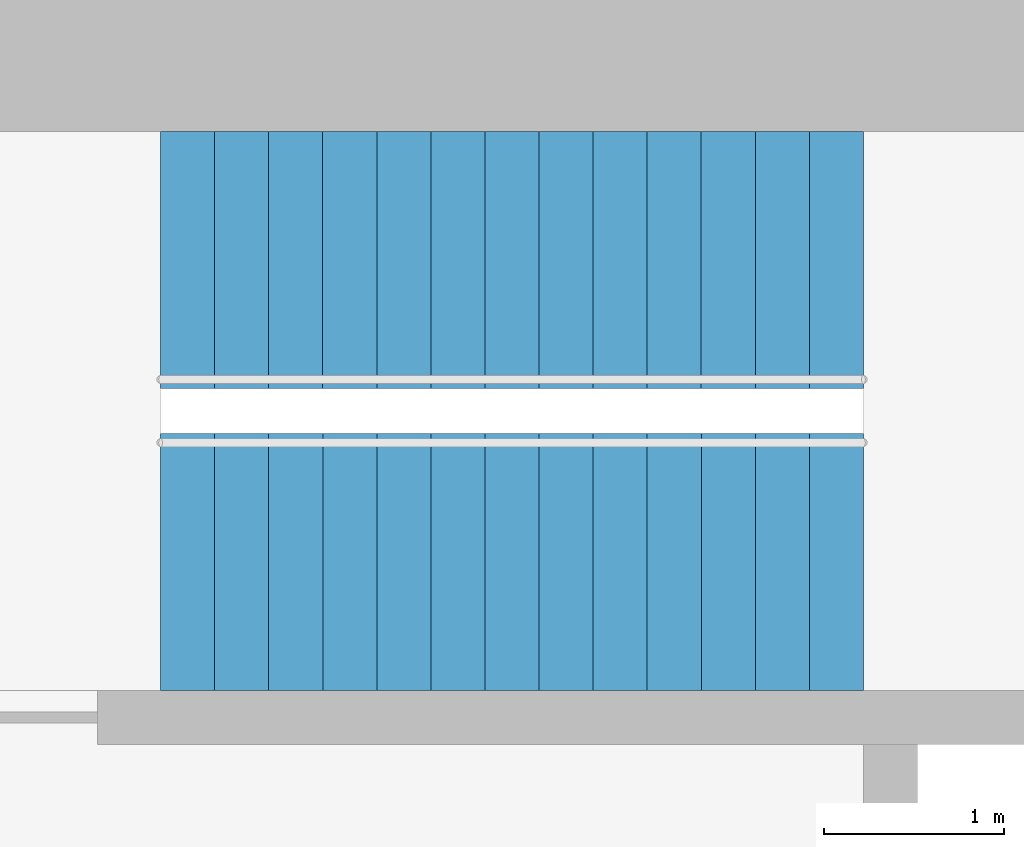
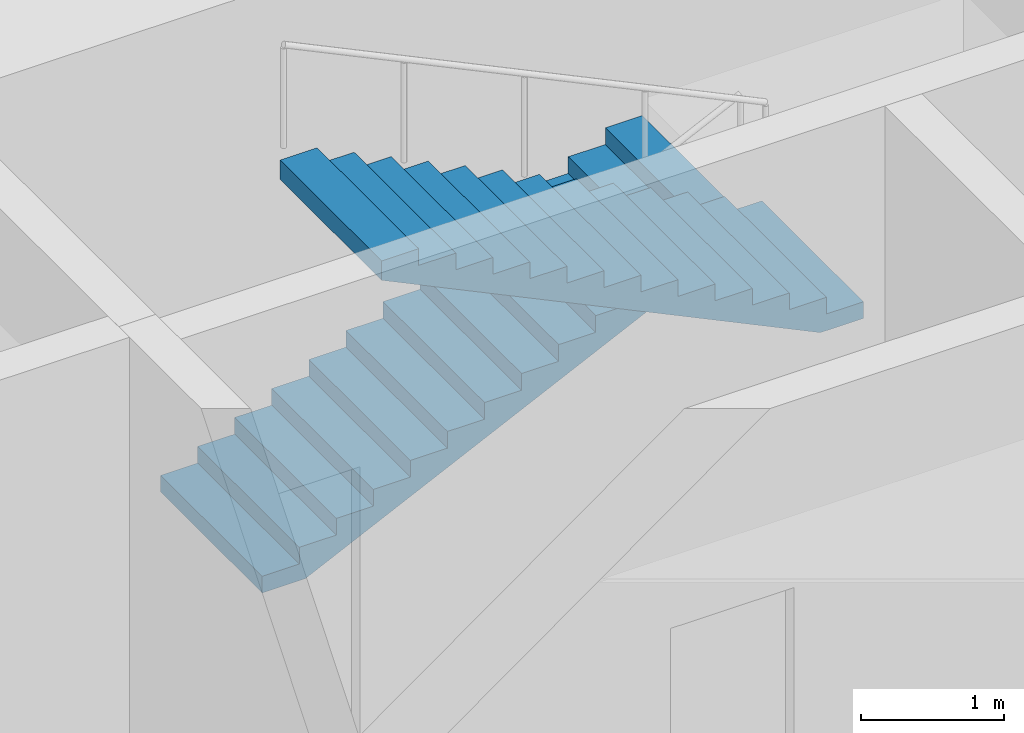
# One storey, part 41 of 42: 2 stair flights, 1 element without a shape of its own.
"""IFC4 building model written with IfcOpenShell, lengths in metres."""

from ifc_helpers import new_model, si_unit, direction, frame, origin, place, context, subcontext, project, spatial, polyline, outline, extrude, material, type_object, element, aggregate, save


model = new_model("IFC4")

# Units and contexts
model_context = context("Model", 3, precision=1e-05, world=origin(), true_north=direction((0.0, 1.0)))
body_context = subcontext(model_context, "Body", "Model", "MODEL_VIEW")
ifc_project = project(units=[si_unit("LENGTHUNIT", "METRE"), si_unit("AREAUNIT", "SQUARE_METRE"), si_unit("VOLUMEUNIT", "CUBIC_METRE"), si_unit("PLANEANGLEUNIT", "RADIAN"), si_unit("MASSUNIT", "GRAM", prefix="KILO")], contexts=[model_context])

# Site, building, storey
site_placement = place(None, origin())
site = spatial("IfcSite", under=ifc_project, at=site_placement, CompositionType="ELEMENT")
building_placement = place(site_placement, origin())
building = spatial("IfcBuilding", under=site, at=building_placement, Name="Zorevar Civic Tower", CompositionType="ELEMENT")
storey_placement = place(building_placement, frame((0.0, 0.0, 149.0)))
storey = spatial("IfcBuildingStorey", under=building, at=storey_placement, Name="L36", CompositionType="ELEMENT", Elevation=149.0)

# Stair, stair flights
ifc_material_1 = material(Name="Precast concrete C40/50", Category="concrete")
stair_type = type_object("IfcStairType", Name="Stair ST 28R", PredefinedType="HALF_TURN_STAIR", material=ifc_material_1)
stair_placement = place(storey_placement, origin())
stair = element("IfcStair", 1, at=stair_placement, inside=storey, type_object=stair_type, Name="Stair ST2 L36", PredefinedType="HALF_TURN_STAIR")
ifc_material_2 = material(Name="Precast concrete C40/50", Category="concrete")
stair_flight_type = type_object("IfcStairFlightType", Name="Stair flight", PredefinedType="STRAIGHT", material=ifc_material_2)
stair_flight_1_placement = place(storey_placement, frame((37.949951171875, 34.737548828125, 0.0), z_axis=(0.0, 0.0, 1.0), x_axis=(1.0, 0.0, 0.0)))
stair_flight_1 = element("IfcStairFlight", 2, at=stair_flight_1_placement, type_object=stair_flight_type, Name="ST2 flight 1", NumberOfRisers=14, NumberOfTreads=13, PredefinedType="STRAIGHT", RiserHeight=0.142857143, TreadLength=0.3, context=body_context, shape_type="SweptSolid", body=[
    extrude(outline(polyline([(0.0, 0.0), (0.0, 0.142822265625), (0.300048828125, 0.142822265625), (0.300048828125, 0.28564453125), (0.60009765625, 0.28564453125), (0.60009765625, 0.428466796875), (0.89990234375, 0.428466796875), (0.89990234375, 0.571533203125), (1.199951171875, 0.571533203125), (1.199951171875, 0.71435546875), (1.5, 0.71435546875), (1.5, 0.857177734375), (1.800048828125, 0.857177734375), (1.800048828125, 1.0), (2.10009765625, 1.0), (2.10009765625, 1.142822265625), (2.39990234375, 1.142822265625), (2.39990234375, 1.28564453125), (2.699951171875, 1.28564453125), (2.699951171875, 1.428466796875), (3.0, 1.428466796875), (3.0, 1.571533203125), (3.300048828125, 1.571533203125), (3.300048828125, 1.71435546875), (3.60009765625, 1.71435546875), (3.60009765625, 1.857177734375), (3.89990234375, 1.857177734375), (3.89990234375, 2.0), (3.89990234375, 1.691162109375), (0.3486328125, 0.0), (0.0, 0.0)])), frame((0.0, 0.71240234375, 0.0), z_axis=(0.0, -1.0, 0.0), x_axis=(1.0, 0.0, 0.0)), (0.0, 0.0, 1.0), 1.425048828125),
])
stair_flight_2_placement = place(storey_placement, frame((41.85009765625, 33.0625, 2.0), z_axis=(0.0, 0.0, 1.0), x_axis=(-1.0, 0.0, 0.0)))
stair_flight_2 = element("IfcStairFlight", 3, at=stair_flight_2_placement, type_object=stair_flight_type, Name="ST2 flight 2", NumberOfRisers=14, NumberOfTreads=13, PredefinedType="STRAIGHT", RiserHeight=0.142857143, TreadLength=0.3, context=body_context, shape_type="SweptSolid", body=[
    extrude(outline(polyline([(0.0, 0.0), (0.0, 0.142822265625), (0.300048828125, 0.142822265625), (0.300048828125, 0.28564453125), (0.60009765625, 0.28564453125), (0.60009765625, 0.428466796875), (0.89990234375, 0.428466796875), (0.89990234375, 0.571533203125), (1.199951171875, 0.571533203125), (1.199951171875, 0.71435546875), (1.5, 0.71435546875), (1.5, 0.857177734375), (1.800048828125, 0.857177734375), (1.800048828125, 1.0), (2.10009765625, 1.0), (2.10009765625, 1.142822265625), (2.39990234375, 1.142822265625), (2.39990234375, 1.28564453125), (2.699951171875, 1.28564453125), (2.699951171875, 1.428466796875), (3.0, 1.428466796875), (3.0, 1.571533203125), (3.300048828125, 1.571533203125), (3.300048828125, 1.71435546875), (3.60009765625, 1.71435546875), (3.60009765625, 1.857177734375), (3.89990234375, 1.857177734375), (3.89990234375, 2.0), (3.89990234375, 1.691162109375), (0.3486328125, 0.0), (0.0, 0.0)])), frame((0.0, 0.71240234375, 0.0), z_axis=(0.0, -1.0, 0.0), x_axis=(1.0, 0.0, 0.0)), (0.0, 0.0, 1.0), 1.425048828125),
])
aggregate(stair, [stair_flight_1, stair_flight_2])

save(model, "model.ifc")
